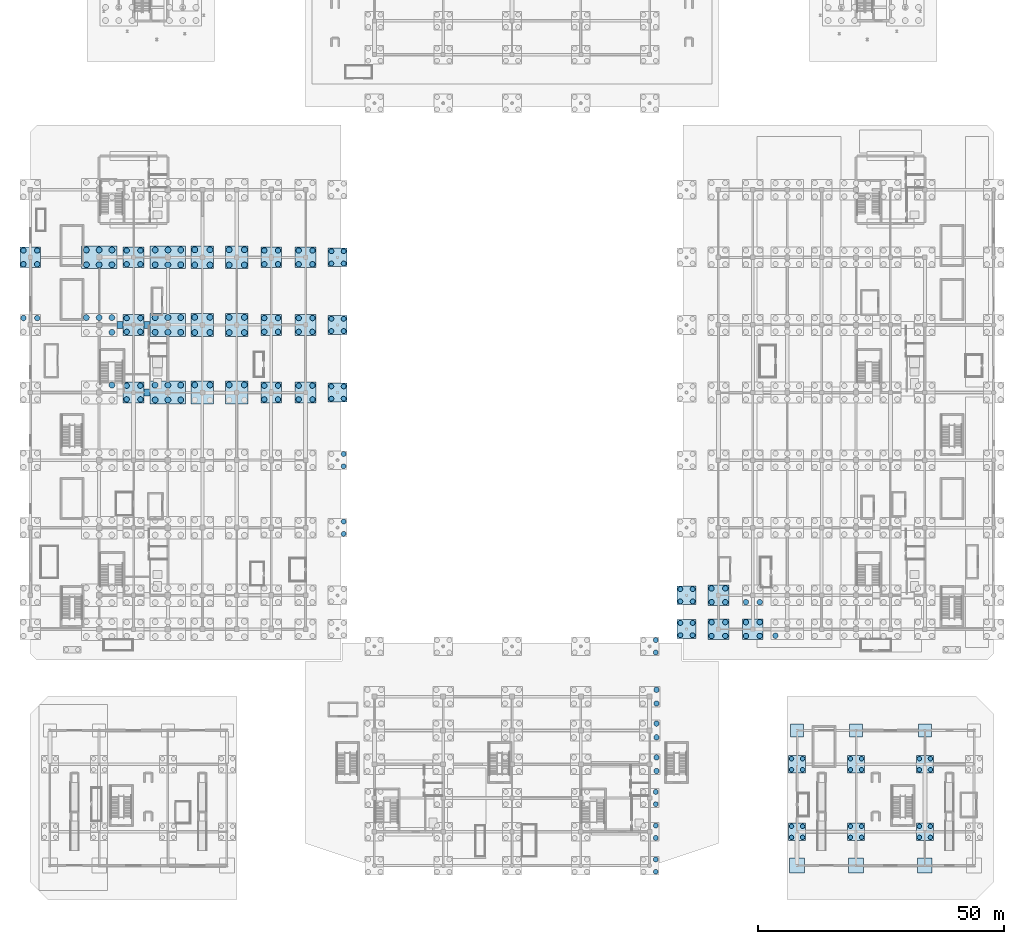
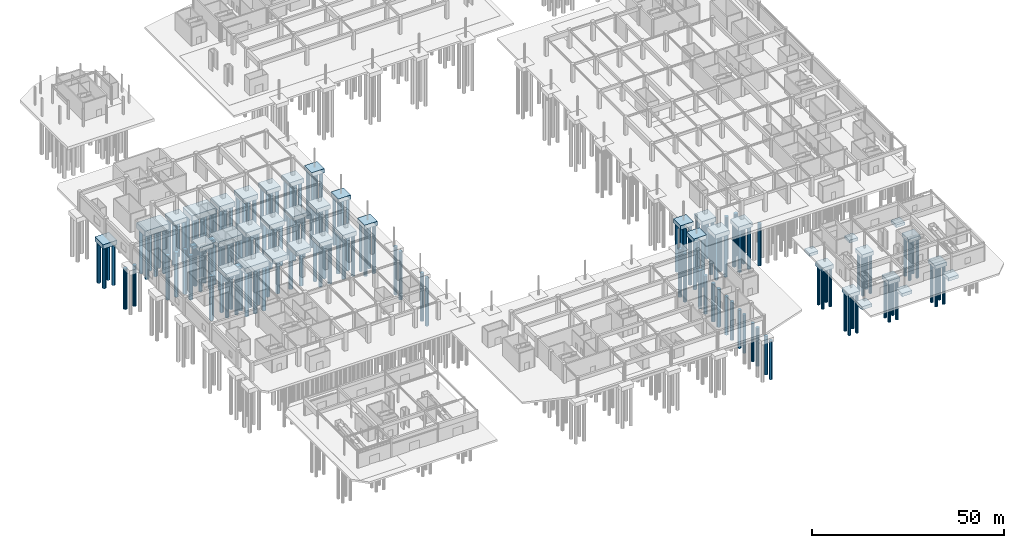
# One storey, part 3 of 62: 168 piles, 43 footings.
"""IFC4 building model written with IfcOpenShell, lengths in metres."""

from ifc_helpers import new_model, si_unit, direction, frame, origin, origin_2d, place, context, subcontext, project, spatial, rectangle, circle, extrude, material, material_profile, profile_set, type_object, element, save


model = new_model("IFC4")

# Units and contexts
model_context = context("Model", 3, precision=1e-05, world=origin(), true_north=direction((0.0, 1.0)))
body_context = subcontext(model_context, "Body", "Model", "MODEL_VIEW")
ifc_project = project(units=[si_unit("LENGTHUNIT", "METRE"), si_unit("AREAUNIT", "SQUARE_METRE"), si_unit("VOLUMEUNIT", "CUBIC_METRE"), si_unit("PLANEANGLEUNIT", "RADIAN"), si_unit("MASSUNIT", "GRAM", prefix="KILO")], contexts=[model_context])

# Site, building, storey
site_placement = place(None, origin())
site = spatial("IfcSite", under=ifc_project, at=site_placement, CompositionType="ELEMENT")
building_placement = place(site_placement, origin())
building = spatial("IfcBuilding", under=site, at=building_placement, Name="Linyun Crest Stadium", CompositionType="ELEMENT")
storey_placement = place(building_placement, frame((0.0, 0.0, -6.0)))
storey = spatial("IfcBuildingStorey", under=building, at=storey_placement, Name="B1", CompositionType="ELEMENT", Elevation=-6.0)

# Piles
ifc_material_1 = material(Name="Concrete C40", Category="concrete")
ifc_material_profile_1 = material_profile(ifc_material_1, circle(Radius=0.449951171875, at=origin_2d()), Name="BORED PILE 900")
ifc_profile_set_1 = profile_set([ifc_material_profile_1], Name="Concrete C40")
pile_type_1 = type_object("IfcPileType", Name="P01", PredefinedType="BORED", material=ifc_profile_set_1)
for number, where, z_axis, x_axis, name in (
    (1, (56.875, -88.375, -1.699951171875), (0.0, 0.0, -1.0), (1.0, 0.0, 0.0), "Bored pile P01 889"),
    (2, (56.875, -86.125, -1.699951171875), (0.0, 0.0, -1.0), (1.0, 0.0, 0.0), "Bored pile P01 890"),
    (3, (59.125, -88.375, -1.699951171875), (0.0, 0.0, -1.0), (1.0, 0.0, 0.0), "Bored pile P01 891"),
    (4, (59.125, -86.125, -1.699951171875), (0.0, 0.0, -1.0), (1.0, 0.0, 0.0), "Bored pile P01 892"),
    (5, (56.875, -74.625, -1.699951171875), (0.0, 0.0, -1.0), (1.0, 0.0, 0.0), "Bored pile P01 893"),
    (6, (56.875, -72.375, -1.699951171875), (0.0, 0.0, -1.0), (1.0, 0.0, 0.0), "Bored pile P01 894"),
    (7, (59.125, -74.625, -1.699951171875), (0.0, 0.0, -1.0), (1.0, 0.0, 0.0), "Bored pile P01 895"),
    (8, (59.125, -72.375, -1.699951171875), (0.0, 0.0, -1.0), (1.0, 0.0, 0.0), "Bored pile P01 896"),
    (9, (68.875, -88.375, -1.699951171875), (0.0, 0.0, -1.0), (1.0, 0.0, 0.0), "Bored pile P01 897"),
    (10, (68.875, -86.125, -1.699951171875), (0.0, 0.0, -1.0), (1.0, 0.0, 0.0), "Bored pile P01 898"),
    (11, (71.125, -88.375, -1.699951171875), (0.0, 0.0, -1.0), (1.0, 0.0, 0.0), "Bored pile P01 899"),
    (12, (71.125, -86.125, -1.699951171875), (0.0, 0.0, -1.0), (1.0, 0.0, 0.0), "Bored pile P01 900"),
    (13, (68.875, -74.625, -1.699951171875), (0.0, 0.0, -1.0), (1.0, 0.0, 0.0), "Bored pile P01 901"),
    (14, (68.875, -72.375, -1.699951171875), (0.0, 0.0, -1.0), (1.0, 0.0, 0.0), "Bored pile P01 902"),
    (15, (71.125, -74.625, -1.699951171875), (0.0, 0.0, -1.0), (1.0, 0.0, 0.0), "Bored pile P01 903"),
    (16, (71.125, -72.375, -1.699951171875), (0.0, 0.0, -1.0), (1.0, 0.0, 0.0), "Bored pile P01 904"),
    (17, (82.875, -88.375, -1.699951171875), (0.0, 0.0, -1.0), (1.0, 0.0, 0.0), "Bored pile P01 905"),
    (18, (82.875, -86.125, -1.699951171875), (0.0, 0.0, -1.0), (1.0, 0.0, 0.0), "Bored pile P01 906"),
    (19, (85.125, -88.375, -1.699951171875), (0.0, 0.0, -1.0), (1.0, 0.0, 0.0), "Bored pile P01 907"),
    (20, (85.125, -86.125, -1.699951171875), (0.0, 0.0, -1.0), (1.0, 0.0, 0.0), "Bored pile P01 908"),
    (21, (82.875, -74.625, -1.699951171875), (0.0, 0.0, -1.0), (1.0, 0.0, 0.0), "Bored pile P01 909"),
    (22, (82.875, -72.375, -1.699951171875), (0.0, 0.0, -1.0), (1.0, 0.0, 0.0), "Bored pile P01 910"),
    (23, (85.125, -74.625, -1.699951171875), (0.0, 0.0, -1.0), (1.0, 0.0, 0.0), "Bored pile P01 911"),
    (24, (85.125, -72.375, -1.699951171875), (0.0, 0.0, -1.0), (1.0, 0.0, 0.0), "Bored pile P01 912"),
):
    element("IfcPile", number, at=place(storey_placement, frame(where, z_axis=z_axis, x_axis=x_axis)), inside=storey, type_object=pile_type_1, Name=name, PredefinedType="BORED", context=body_context, shape_type="SweptSolid", body=[
        extrude(circle(Radius=0.449951171875, at=origin_2d()), origin(), (0.0, 0.0, 1.0), 12.300048828125),
    ])
ifc_material_2 = material(Name="Concrete C40", Category="concrete")
ifc_material_profile_2 = material_profile(ifc_material_2, circle(Radius=0.5, at=origin_2d()), Name="BORED PILE 1000")
ifc_profile_set_2 = profile_set([ifc_material_profile_2], Name="Concrete C40")
pile_type_2 = type_object("IfcPileType", Name="P02", PredefinedType="BORED", material=ifc_profile_set_2)
for number, where, z_axis, x_axis, name in (
    (25, (29.25, -95.375, -1.800048828125), (0.0, 0.0, -1.0), (1.0, 0.0, 0.0), "Bored pile P02 775"),
    (26, (29.25, -92.875, -1.800048828125), (0.0, 0.0, -1.0), (1.0, 0.0, 0.0), "Bored pile P02 776"),
    (27, (29.25, -88.5, -1.800048828125), (0.0, 0.0, -1.0), (1.0, 0.0, 0.0), "Bored pile P02 779"),
    (28, (29.25, -86.0, -1.800048828125), (0.0, 0.0, -1.0), (1.0, 0.0, 0.0), "Bored pile P02 780"),
    (29, (29.25, -81.625, -1.800048828125), (0.0, 0.0, -1.0), (1.0, 0.0, 0.0), "Bored pile P02 783"),
    (30, (29.25, -79.125, -1.800048828125), (0.0, 0.0, -1.0), (1.0, 0.0, 0.0), "Bored pile P02 784"),
):
    element("IfcPile", number, at=place(storey_placement, frame(where, z_axis=z_axis, x_axis=x_axis)), inside=storey, type_object=pile_type_2, Name=name, PredefinedType="BORED", context=body_context, shape_type="SweptSolid", body=[
        extrude(circle(Radius=0.5, at=origin_2d()), origin(), (0.0, 0.0, 1.0), 12.199951171875),
    ])
for number, where, z_axis, x_axis, name in (
    (31, (-34.25, -26.625, -1.199951171875), (0.0, 0.0, -1.0), (1.0, 0.0, 0.0), "Bored pile P02 arch 6.3"),
    (32, (-34.25, -24.125, -1.199951171875), (0.0, 0.0, -1.0), (1.0, 0.0, 0.0), "Bored pile P02 arch 6.4"),
    (33, (-34.25, -12.875, -1.199951171875), (0.0, 0.0, -1.0), (1.0, 0.0, 0.0), "Bored pile P02 arch 8.3"),
    (34, (-34.25, -10.375, -1.199951171875), (0.0, 0.0, -1.0), (1.0, 0.0, 0.0), "Bored pile P02 arch 8.4"),
    (35, (-36.75, 0.875, -1.199951171875), (0.0, 0.0, -1.0), (1.0, 0.0, 0.0), "Bored pile P02 arch 10.1"),
    (36, (-36.75, 3.375, -1.199951171875), (0.0, 0.0, -1.0), (1.0, 0.0, 0.0), "Bored pile P02 arch 10.2"),
    (37, (-34.25, 0.875, -1.199951171875), (0.0, 0.0, -1.0), (1.0, 0.0, 0.0), "Bored pile P02 arch 10.3"),
    (38, (-34.25, 3.375, -1.199951171875), (0.0, 0.0, -1.0), (1.0, 0.0, 0.0), "Bored pile P02 arch 10.4"),
    (39, (-36.75, 14.625, -1.199951171875), (0.0, 0.0, -1.0), (1.0, 0.0, 0.0), "Bored pile P02 arch 12.1"),
    (40, (-36.75, 17.125, -1.199951171875), (0.0, 0.0, -1.0), (1.0, 0.0, 0.0), "Bored pile P02 arch 12.2"),
    (41, (-34.25, 14.625, -1.199951171875), (0.0, 0.0, -1.0), (1.0, 0.0, 0.0), "Bored pile P02 arch 12.3"),
    (42, (-34.25, 17.125, -1.199951171875), (0.0, 0.0, -1.0), (1.0, 0.0, 0.0), "Bored pile P02 arch 12.4"),
    (43, (-36.75, 28.375, -1.199951171875), (0.0, 0.0, -1.0), (1.0, 0.0, 0.0), "Bored pile P02 arch 14.1"),
    (44, (-36.75, 30.875, -1.199951171875), (0.0, 0.0, -1.0), (1.0, 0.0, 0.0), "Bored pile P02 arch 14.2"),
    (45, (-34.25, 28.375, -1.199951171875), (0.0, 0.0, -1.0), (1.0, 0.0, 0.0), "Bored pile P02 arch 14.3"),
    (46, (-34.25, 30.875, -1.199951171875), (0.0, 0.0, -1.0), (1.0, 0.0, 0.0), "Bored pile P02 arch 14.4"),
    (47, (34.25, -47.25, -1.199951171875), (0.0, 0.0, -1.0), (1.0, 0.0, 0.0), "Bored pile P02 arch 18.1"),
    (48, (34.25, -44.75, -1.199951171875), (0.0, 0.0, -1.0), (1.0, 0.0, 0.0), "Bored pile P02 arch 18.2"),
    (49, (36.75, -47.25, -1.199951171875), (0.0, 0.0, -1.0), (1.0, 0.0, 0.0), "Bored pile P02 arch 18.3"),
    (50, (36.75, -44.75, -1.199951171875), (0.0, 0.0, -1.0), (1.0, 0.0, 0.0), "Bored pile P02 arch 18.4"),
    (51, (34.25, -40.375, -1.199951171875), (0.0, 0.0, -1.0), (1.0, 0.0, 0.0), "Bored pile P02 arch 20.1"),
    (52, (34.25, -37.875, -1.199951171875), (0.0, 0.0, -1.0), (1.0, 0.0, 0.0), "Bored pile P02 arch 20.2"),
    (53, (36.75, -40.375, -1.199951171875), (0.0, 0.0, -1.0), (1.0, 0.0, 0.0), "Bored pile P02 arch 20.3"),
    (54, (36.75, -37.875, -1.199951171875), (0.0, 0.0, -1.0), (1.0, 0.0, 0.0), "Bored pile P02 arch 20.4"),
    (55, (29.25, -50.75, -1.199951171875), (0.0, 0.0, -1.0), (1.0, 0.0, 0.0), "Bored pile P02 arch 52.3"),
    (56, (29.25, -48.25, -1.199951171875), (0.0, 0.0, -1.0), (1.0, 0.0, 0.0), "Bored pile P02 arch 52.4"),
):
    element("IfcPile", number, at=place(storey_placement, frame(where, z_axis=z_axis, x_axis=x_axis)), inside=storey, type_object=pile_type_2, Name=name, PredefinedType="BORED", context=body_context, shape_type="SweptSolid", body=[
        extrude(circle(Radius=0.5, at=origin_2d()), origin(), (0.0, 0.0, 1.0), 15.300048828125),
    ])
ifc_material_3 = material(Name="Concrete C40", Category="concrete")
ifc_material_profile_3 = material_profile(ifc_material_3, circle(Radius=0.550048828125, at=origin_2d()), Name="BORED PILE 1100")
ifc_profile_set_3 = profile_set([ifc_material_profile_3], Name="Concrete C40")
pile_type_3 = type_object("IfcPileType", Name="P03", PredefinedType="BORED", material=ifc_profile_set_3)
for number, where, z_axis, x_axis, name in (
    (57, (-99.39990234375, 17.27490234375, -2.050048828125), (0.0, 0.0, -1.0), (1.0, 0.0, 0.0), "Bored pile P03 22"),
    (58, (-96.60009765625, 17.27490234375, -2.050048828125), (0.0, 0.0, -1.0), (1.0, 0.0, 0.0), "Bored pile P03 24"),
    (59, (-99.39990234375, 28.22509765625, -2.050048828125), (0.0, 0.0, -1.0), (1.0, 0.0, 0.0), "Bored pile P03 25"),
    (60, (-99.39990234375, 31.02490234375, -2.050048828125), (0.0, 0.0, -1.0), (1.0, 0.0, 0.0), "Bored pile P03 26"),
    (61, (-96.60009765625, 28.22509765625, -2.050048828125), (0.0, 0.0, -1.0), (1.0, 0.0, 0.0), "Bored pile P03 27"),
    (62, (-96.60009765625, 31.02490234375, -2.050048828125), (0.0, 0.0, -1.0), (1.0, 0.0, 0.0), "Bored pile P03 28"),
    (63, (-78.39990234375, 0.72509765625, -2.050048828125), (0.0, 0.0, -1.0), (1.0, 0.0, 0.0), "Bored pile P03 97"),
    (64, (-78.39990234375, 3.52490234375, -2.050048828125), (0.0, 0.0, -1.0), (1.0, 0.0, 0.0), "Bored pile P03 98"),
    (65, (-75.60009765625, 0.72509765625, -2.050048828125), (0.0, 0.0, -1.0), (1.0, 0.0, 0.0), "Bored pile P03 99"),
    (66, (-75.60009765625, 3.52490234375, -2.050048828125), (0.0, 0.0, -1.0), (1.0, 0.0, 0.0), "Bored pile P03 100"),
    (67, (-78.39990234375, 14.47509765625, -2.050048828125), (0.0, 0.0, -1.0), (1.0, 0.0, 0.0), "Bored pile P03 101"),
    (68, (-78.39990234375, 17.27490234375, -2.050048828125), (0.0, 0.0, -1.0), (1.0, 0.0, 0.0), "Bored pile P03 102"),
    (69, (-75.60009765625, 14.47509765625, -2.050048828125), (0.0, 0.0, -1.0), (1.0, 0.0, 0.0), "Bored pile P03 103"),
    (70, (-75.60009765625, 17.27490234375, -2.050048828125), (0.0, 0.0, -1.0), (1.0, 0.0, 0.0), "Bored pile P03 104"),
    (71, (-78.39990234375, 28.22509765625, -2.050048828125), (0.0, 0.0, -1.0), (1.0, 0.0, 0.0), "Bored pile P03 105"),
    (72, (-78.39990234375, 31.02490234375, -2.050048828125), (0.0, 0.0, -1.0), (1.0, 0.0, 0.0), "Bored pile P03 106"),
    (73, (-75.60009765625, 28.22509765625, -2.050048828125), (0.0, 0.0, -1.0), (1.0, 0.0, 0.0), "Bored pile P03 107"),
    (74, (-75.60009765625, 31.02490234375, -2.050048828125), (0.0, 0.0, -1.0), (1.0, 0.0, 0.0), "Bored pile P03 108"),
    (75, (-50.39990234375, 0.72509765625, -2.050048828125), (0.0, 0.0, -1.0), (1.0, 0.0, 0.0), "Bored pile P03 241"),
    (76, (-50.39990234375, 3.52490234375, -2.050048828125), (0.0, 0.0, -1.0), (1.0, 0.0, 0.0), "Bored pile P03 242"),
    (77, (-47.60009765625, 0.72509765625, -2.050048828125), (0.0, 0.0, -1.0), (1.0, 0.0, 0.0), "Bored pile P03 243"),
    (78, (-47.60009765625, 3.52490234375, -2.050048828125), (0.0, 0.0, -1.0), (1.0, 0.0, 0.0), "Bored pile P03 244"),
    (79, (-50.39990234375, 14.47509765625, -2.050048828125), (0.0, 0.0, -1.0), (1.0, 0.0, 0.0), "Bored pile P03 245"),
    (80, (-50.39990234375, 17.27490234375, -2.050048828125), (0.0, 0.0, -1.0), (1.0, 0.0, 0.0), "Bored pile P03 246"),
    (81, (-47.60009765625, 14.47509765625, -2.050048828125), (0.0, 0.0, -1.0), (1.0, 0.0, 0.0), "Bored pile P03 247"),
    (82, (-47.60009765625, 17.27490234375, -2.050048828125), (0.0, 0.0, -1.0), (1.0, 0.0, 0.0), "Bored pile P03 248"),
    (83, (-50.39990234375, 28.22509765625, -2.050048828125), (0.0, 0.0, -1.0), (1.0, 0.0, 0.0), "Bored pile P03 249"),
    (84, (-50.39990234375, 31.02490234375, -2.050048828125), (0.0, 0.0, -1.0), (1.0, 0.0, 0.0), "Bored pile P03 250"),
    (85, (-47.60009765625, 28.22509765625, -2.050048828125), (0.0, 0.0, -1.0), (1.0, 0.0, 0.0), "Bored pile P03 251"),
    (86, (-47.60009765625, 31.02490234375, -2.050048828125), (0.0, 0.0, -1.0), (1.0, 0.0, 0.0), "Bored pile P03 252"),
    (87, (-43.39990234375, 0.72509765625, -2.050048828125), (0.0, 0.0, -1.0), (1.0, 0.0, 0.0), "Bored pile P03 273"),
    (88, (-43.39990234375, 3.52490234375, -2.050048828125), (0.0, 0.0, -1.0), (1.0, 0.0, 0.0), "Bored pile P03 274"),
    (89, (-40.60009765625, 0.72509765625, -2.050048828125), (0.0, 0.0, -1.0), (1.0, 0.0, 0.0), "Bored pile P03 275"),
    (90, (-40.60009765625, 3.52490234375, -2.050048828125), (0.0, 0.0, -1.0), (1.0, 0.0, 0.0), "Bored pile P03 276"),
    (91, (-43.39990234375, 14.47509765625, -2.050048828125), (0.0, 0.0, -1.0), (1.0, 0.0, 0.0), "Bored pile P03 277"),
    (92, (-43.39990234375, 17.27490234375, -2.050048828125), (0.0, 0.0, -1.0), (1.0, 0.0, 0.0), "Bored pile P03 278"),
    (93, (-40.60009765625, 14.47509765625, -2.050048828125), (0.0, 0.0, -1.0), (1.0, 0.0, 0.0), "Bored pile P03 279"),
    (94, (-40.60009765625, 17.27490234375, -2.050048828125), (0.0, 0.0, -1.0), (1.0, 0.0, 0.0), "Bored pile P03 280"),
    (95, (-43.39990234375, 28.22509765625, -2.050048828125), (0.0, 0.0, -1.0), (1.0, 0.0, 0.0), "Bored pile P03 281"),
    (96, (-43.39990234375, 31.02490234375, -2.050048828125), (0.0, 0.0, -1.0), (1.0, 0.0, 0.0), "Bored pile P03 282"),
    (97, (-40.60009765625, 28.22509765625, -2.050048828125), (0.0, 0.0, -1.0), (1.0, 0.0, 0.0), "Bored pile P03 283"),
    (98, (-40.60009765625, 31.02490234375, -2.050048828125), (0.0, 0.0, -1.0), (1.0, 0.0, 0.0), "Bored pile P03 284"),
):
    element("IfcPile", number, at=place(storey_placement, frame(where, z_axis=z_axis, x_axis=x_axis)), inside=storey, type_object=pile_type_3, Name=name, PredefinedType="BORED", context=body_context, shape_type="SweptSolid", body=[
        extrude(circle(Radius=0.550048828125, at=origin_2d()), origin(), (0.0, 0.0, 1.0), 12.949951171875),
    ])
for number, where, z_axis, x_axis, name in (
    (99, (40.60009765625, -47.39990234375, -2.050048828125), (0.0, 0.0, -1.0), (1.0, 0.0, 0.0), "Bored pile P03 289"),
    (100, (40.60009765625, -44.60009765625, -2.050048828125), (0.0, 0.0, -1.0), (1.0, 0.0, 0.0), "Bored pile P03 290"),
    (101, (43.39990234375, -47.39990234375, -2.050048828125), (0.0, 0.0, -1.0), (1.0, 0.0, 0.0), "Bored pile P03 291"),
    (102, (43.39990234375, -44.60009765625, -2.050048828125), (0.0, 0.0, -1.0), (1.0, 0.0, 0.0), "Bored pile P03 292"),
    (103, (40.60009765625, -40.52490234375, -2.050048828125), (0.0, 0.0, -1.0), (1.0, 0.0, 0.0), "Bored pile P03 293"),
    (104, (40.60009765625, -37.72509765625, -2.050048828125), (0.0, 0.0, -1.0), (1.0, 0.0, 0.0), "Bored pile P03 294"),
    (105, (43.39990234375, -40.52490234375, -2.050048828125), (0.0, 0.0, -1.0), (1.0, 0.0, 0.0), "Bored pile P03 295"),
    (106, (43.39990234375, -37.72509765625, -2.050048828125), (0.0, 0.0, -1.0), (1.0, 0.0, 0.0), "Bored pile P03 296"),
    (107, (47.60009765625, -47.39990234375, -2.050048828125), (0.0, 0.0, -1.0), (1.0, 0.0, 0.0), "Bored pile P03 321"),
    (108, (47.60009765625, -44.60009765625, -2.050048828125), (0.0, 0.0, -1.0), (1.0, 0.0, 0.0), "Bored pile P03 322"),
    (109, (50.39990234375, -47.39990234375, -2.050048828125), (0.0, 0.0, -1.0), (1.0, 0.0, 0.0), "Bored pile P03 323"),
    (110, (50.39990234375, -44.60009765625, -2.050048828125), (0.0, 0.0, -1.0), (1.0, 0.0, 0.0), "Bored pile P03 324"),
    (111, (47.60009765625, -40.52490234375, -2.050048828125), (0.0, 0.0, -1.0), (1.0, 0.0, 0.0), "Bored pile P03 325"),
    (112, (50.39990234375, -40.52490234375, -2.050048828125), (0.0, 0.0, -1.0), (1.0, 0.0, 0.0), "Bored pile P03 327"),
):
    element("IfcPile", number, at=place(storey_placement, frame(where, z_axis=z_axis, x_axis=x_axis)), inside=storey, type_object=pile_type_3, Name=name, PredefinedType="BORED", context=body_context, shape_type="SweptSolid", body=[
        extrude(circle(Radius=0.550048828125, at=origin_2d()), origin(), (0.0, 0.0, 1.0), 13.449951171875),
    ])
pile_placement = place(storey_placement, frame((53.60009765625, -47.35009765625, -2.25), z_axis=(0.0, 0.0, -1.0), x_axis=(1.0, 0.0, 0.0)))
element("IfcPile", 113, at=pile_placement, inside=storey, type_object=pile_type_3, Name="Bored pile P03 353", PredefinedType="BORED", context=body_context, shape_type="SweptSolid", body=[
    extrude(circle(Radius=0.550048828125, at=origin_2d()), origin(), (0.0, 0.0, 1.0), 13.25),
])
for number, where, z_axis, x_axis, name in (
    (114, (29.39990234375, -74.89990234375, -1.89990234375), (0.0, 0.0, -1.0), (1.0, 0.0, 0.0), "Bored pile P03 787"),
    (115, (29.39990234375, -72.10009765625, -1.89990234375), (0.0, 0.0, -1.0), (1.0, 0.0, 0.0), "Bored pile P03 788"),
    (116, (29.39990234375, -68.02490234375, -1.89990234375), (0.0, 0.0, -1.0), (1.0, 0.0, 0.0), "Bored pile P03 791"),
    (117, (29.39990234375, -65.22509765625, -1.89990234375), (0.0, 0.0, -1.0), (1.0, 0.0, 0.0), "Bored pile P03 792"),
    (118, (29.39990234375, -61.14990234375, -1.89990234375), (0.0, 0.0, -1.0), (1.0, 0.0, 0.0), "Bored pile P03 795"),
    (119, (29.39990234375, -58.35009765625, -1.89990234375), (0.0, 0.0, -1.0), (1.0, 0.0, 0.0), "Bored pile P03 796"),
):
    element("IfcPile", number, at=place(storey_placement, frame(where, z_axis=z_axis, x_axis=x_axis)), inside=storey, type_object=pile_type_3, Name=name, PredefinedType="BORED", context=body_context, shape_type="SweptSolid", body=[
        extrude(circle(Radius=0.550048828125, at=origin_2d()), origin(), (0.0, 0.0, 1.0), 12.10009765625),
    ])
ifc_material_4 = material(Name="Concrete C40", Category="concrete")
ifc_material_profile_4 = material_profile(ifc_material_4, circle(Radius=0.60009765625, at=origin_2d()), Name="BORED PILE 1200")
ifc_profile_set_4 = profile_set([ifc_material_profile_4], Name="Concrete C40")
pile_type_4 = type_object("IfcPileType", Name="P04", PredefinedType="BORED", material=ifc_profile_set_4)
for number, where, z_axis, x_axis, name in (
    (120, (-81.39990234375, 3.625, -2.449951171875), (0.0, 0.0, -1.0), (1.0, 0.0, 0.0), "Bored pile P04 62"),
    (121, (-86.60009765625, 17.375, -2.449951171875), (0.0, 0.0, -1.0), (1.0, 0.0, 0.0), "Bored pile P04 64"),
    (122, (-84.0, 17.375, -2.449951171875), (0.0, 0.0, -1.0), (1.0, 0.0, 0.0), "Bored pile P04 66"),
    (123, (-81.39990234375, 14.375, -2.449951171875), (0.0, 0.0, -1.0), (1.0, 0.0, 0.0), "Bored pile P04 67"),
    (124, (-81.39990234375, 17.375, -2.449951171875), (0.0, 0.0, -1.0), (1.0, 0.0, 0.0), "Bored pile P04 68"),
    (125, (-86.60009765625, 28.125, -2.449951171875), (0.0, 0.0, -1.0), (1.0, 0.0, 0.0), "Bored pile P04 69"),
    (126, (-86.60009765625, 31.125, -2.449951171875), (0.0, 0.0, -1.0), (1.0, 0.0, 0.0), "Bored pile P04 70"),
    (127, (-84.0, 28.125, -2.449951171875), (0.0, 0.0, -1.0), (1.0, 0.0, 0.0), "Bored pile P04 71"),
    (128, (-84.0, 31.125, -2.449951171875), (0.0, 0.0, -1.0), (1.0, 0.0, 0.0), "Bored pile P04 72"),
    (129, (-81.39990234375, 28.125, -2.449951171875), (0.0, 0.0, -1.0), (1.0, 0.0, 0.0), "Bored pile P04 73"),
    (130, (-81.39990234375, 31.125, -2.449951171875), (0.0, 0.0, -1.0), (1.0, 0.0, 0.0), "Bored pile P04 74"),
    (131, (-72.60009765625, 0.625, -2.449951171875), (0.0, 0.0, -1.0), (1.0, 0.0, 0.0), "Bored pile P04 137"),
    (132, (-72.60009765625, 3.625, -2.449951171875), (0.0, 0.0, -1.0), (1.0, 0.0, 0.0), "Bored pile P04 138"),
    (133, (-70.0, 0.625, -2.449951171875), (0.0, 0.0, -1.0), (1.0, 0.0, 0.0), "Bored pile P04 139"),
    (134, (-70.0, 3.625, -2.449951171875), (0.0, 0.0, -1.0), (1.0, 0.0, 0.0), "Bored pile P04 140"),
    (135, (-67.39990234375, 0.625, -2.449951171875), (0.0, 0.0, -1.0), (1.0, 0.0, 0.0), "Bored pile P04 141"),
    (136, (-67.39990234375, 3.625, -2.449951171875), (0.0, 0.0, -1.0), (1.0, 0.0, 0.0), "Bored pile P04 142"),
    (137, (-72.60009765625, 14.375, -2.449951171875), (0.0, 0.0, -1.0), (1.0, 0.0, 0.0), "Bored pile P04 143"),
    (138, (-72.60009765625, 17.375, -2.449951171875), (0.0, 0.0, -1.0), (1.0, 0.0, 0.0), "Bored pile P04 144"),
    (139, (-70.0, 14.375, -2.449951171875), (0.0, 0.0, -1.0), (1.0, 0.0, 0.0), "Bored pile P04 145"),
    (140, (-70.0, 17.375, -2.449951171875), (0.0, 0.0, -1.0), (1.0, 0.0, 0.0), "Bored pile P04 146"),
    (141, (-67.39990234375, 14.375, -2.449951171875), (0.0, 0.0, -1.0), (1.0, 0.0, 0.0), "Bored pile P04 147"),
    (142, (-67.39990234375, 17.375, -2.449951171875), (0.0, 0.0, -1.0), (1.0, 0.0, 0.0), "Bored pile P04 148"),
    (143, (-72.60009765625, 28.125, -2.449951171875), (0.0, 0.0, -1.0), (1.0, 0.0, 0.0), "Bored pile P04 149"),
    (144, (-72.60009765625, 31.125, -2.449951171875), (0.0, 0.0, -1.0), (1.0, 0.0, 0.0), "Bored pile P04 150"),
    (145, (-70.0, 28.125, -2.449951171875), (0.0, 0.0, -1.0), (1.0, 0.0, 0.0), "Bored pile P04 151"),
    (146, (-70.0, 31.125, -2.449951171875), (0.0, 0.0, -1.0), (1.0, 0.0, 0.0), "Bored pile P04 152"),
    (147, (-67.39990234375, 28.125, -2.449951171875), (0.0, 0.0, -1.0), (1.0, 0.0, 0.0), "Bored pile P04 153"),
    (148, (-67.39990234375, 31.125, -2.449951171875), (0.0, 0.0, -1.0), (1.0, 0.0, 0.0), "Bored pile P04 154"),
):
    element("IfcPile", number, at=place(storey_placement, frame(where, z_axis=z_axis, x_axis=x_axis)), inside=storey, type_object=pile_type_4, Name=name, PredefinedType="BORED", context=body_context, shape_type="SweptSolid", body=[
        extrude(circle(Radius=0.60009765625, at=origin_2d()), origin(), (0.0, 0.0, 1.0), 14.050048828125),
    ])
for number, where, z_axis, x_axis, name in (
    (149, (-64.550048828125, 3.675048828125, -2.25), (0.0, 0.0, -1.0), (1.0, 0.0, 0.0), "Bored pile P04 178"),
    (150, (-61.449951171875, 3.675048828125, -2.25), (0.0, 0.0, -1.0), (1.0, 0.0, 0.0), "Bored pile P04 180"),
    (151, (-64.550048828125, 14.324951171875, -2.25), (0.0, 0.0, -1.0), (1.0, 0.0, 0.0), "Bored pile P04 181"),
    (152, (-64.550048828125, 17.425048828125, -2.25), (0.0, 0.0, -1.0), (1.0, 0.0, 0.0), "Bored pile P04 182"),
    (153, (-61.449951171875, 14.324951171875, -2.25), (0.0, 0.0, -1.0), (1.0, 0.0, 0.0), "Bored pile P04 183"),
    (154, (-61.449951171875, 17.425048828125, -2.25), (0.0, 0.0, -1.0), (1.0, 0.0, 0.0), "Bored pile P04 184"),
    (155, (-64.550048828125, 28.074951171875, -2.25), (0.0, 0.0, -1.0), (1.0, 0.0, 0.0), "Bored pile P04 185"),
    (156, (-64.550048828125, 31.175048828125, -2.25), (0.0, 0.0, -1.0), (1.0, 0.0, 0.0), "Bored pile P04 186"),
    (157, (-61.449951171875, 28.074951171875, -2.25), (0.0, 0.0, -1.0), (1.0, 0.0, 0.0), "Bored pile P04 187"),
    (158, (-61.449951171875, 31.175048828125, -2.25), (0.0, 0.0, -1.0), (1.0, 0.0, 0.0), "Bored pile P04 188"),
    (159, (-57.550048828125, 3.675048828125, -2.25), (0.0, 0.0, -1.0), (1.0, 0.0, 0.0), "Bored pile P04 210"),
    (160, (-54.449951171875, 3.675048828125, -2.25), (0.0, 0.0, -1.0), (1.0, 0.0, 0.0), "Bored pile P04 212"),
    (161, (-57.550048828125, 14.324951171875, -2.25), (0.0, 0.0, -1.0), (1.0, 0.0, 0.0), "Bored pile P04 213"),
    (162, (-57.550048828125, 17.425048828125, -2.25), (0.0, 0.0, -1.0), (1.0, 0.0, 0.0), "Bored pile P04 214"),
    (163, (-54.449951171875, 14.324951171875, -2.25), (0.0, 0.0, -1.0), (1.0, 0.0, 0.0), "Bored pile P04 215"),
    (164, (-54.449951171875, 17.425048828125, -2.25), (0.0, 0.0, -1.0), (1.0, 0.0, 0.0), "Bored pile P04 216"),
    (165, (-57.550048828125, 28.074951171875, -2.25), (0.0, 0.0, -1.0), (1.0, 0.0, 0.0), "Bored pile P04 217"),
    (166, (-57.550048828125, 31.175048828125, -2.25), (0.0, 0.0, -1.0), (1.0, 0.0, 0.0), "Bored pile P04 218"),
    (167, (-54.449951171875, 28.074951171875, -2.25), (0.0, 0.0, -1.0), (1.0, 0.0, 0.0), "Bored pile P04 219"),
    (168, (-54.449951171875, 31.175048828125, -2.25), (0.0, 0.0, -1.0), (1.0, 0.0, 0.0), "Bored pile P04 220"),
):
    element("IfcPile", number, at=place(storey_placement, frame(where, z_axis=z_axis, x_axis=x_axis)), inside=storey, type_object=pile_type_4, Name=name, PredefinedType="BORED", context=body_context, shape_type="SweptSolid", body=[
        extrude(circle(Radius=0.60009765625, at=origin_2d()), origin(), (0.0, 0.0, 1.0), 12.75),
    ])

# Footings
ifc_material_5 = material(Name="Concrete C40", Category="concrete")
footing_type_1 = type_object("IfcFootingType", Name="PC02", PredefinedType="PILE_CAP", material=ifc_material_5)
for number, where, z_axis, x_axis, name in (
    (169, (-35.5, 2.125, -1.2998046875), (0.0, 0.0, 1.0), (1.0, 0.0, 0.0), "Foundation PC02 arch 10"),
    (170, (-35.5, 15.875, -1.2998046875), (0.0, 0.0, 1.0), (1.0, 0.0, 0.0), "Foundation PC02 arch 12"),
    (171, (-35.5, 29.625, -1.2998046875), (0.0, 0.0, 1.0), (1.0, 0.0, 0.0), "Foundation PC02 arch 14"),
    (172, (35.5, -46.0, -1.2998046875), (0.0, 0.0, 1.0), (1.0, 0.0, 0.0), "Foundation PC02 arch 18"),
    (173, (35.5, -39.125, -1.2998046875), (0.0, 0.0, 1.0), (1.0, 0.0, 0.0), "Foundation PC02 arch 20"),
):
    element("IfcFooting", number, at=place(storey_placement, frame(where, z_axis=z_axis, x_axis=x_axis)), inside=storey, type_object=footing_type_1, Name=name, PredefinedType="PILE_CAP", context=body_context, shape_type="SweptSolid", body=[
        extrude(rectangle(XDim=3.800048828125, YDim=3.800048828125, at=origin_2d()), origin(), (0.0, 0.0, 1.0), 1.300048828125),
    ])
ifc_material_6 = material(Name="Concrete C40", Category="concrete")
footing_type_2 = type_object("IfcFootingType", Name="PC03", PredefinedType="PILE_CAP", material=ifc_material_6)
for number, where, z_axis, x_axis, name in (
    (174, (-98.0, 29.625, -2.14990234375), (0.0, 0.0, 1.0), (1.0, 0.0, 0.0), "Foundation PC03 7"),
    (175, (-77.0, 2.125, -2.14990234375), (0.0, 0.0, 1.0), (1.0, 0.0, 0.0), "Foundation PC03 21"),
    (176, (-77.0, 15.875, -2.14990234375), (0.0, 0.0, 1.0), (1.0, 0.0, 0.0), "Foundation PC03 22"),
    (177, (-77.0, 29.625, -2.14990234375), (0.0, 0.0, 1.0), (1.0, 0.0, 0.0), "Foundation PC03 23"),
    (178, (-49.0, 2.125, -2.14990234375), (0.0, 0.0, 1.0), (1.0, 0.0, 0.0), "Foundation PC03 53"),
    (179, (-49.0, 15.875, -2.14990234375), (0.0, 0.0, 1.0), (1.0, 0.0, 0.0), "Foundation PC03 54"),
    (180, (-49.0, 29.625, -2.14990234375), (0.0, 0.0, 1.0), (1.0, 0.0, 0.0), "Foundation PC03 55"),
    (181, (-42.0, 2.125, -2.14990234375), (0.0, 0.0, 1.0), (1.0, 0.0, 0.0), "Foundation PC03 61"),
    (182, (-42.0, 15.875, -2.14990234375), (0.0, 0.0, 1.0), (1.0, 0.0, 0.0), "Foundation PC03 62"),
    (183, (-42.0, 29.625, -2.14990234375), (0.0, 0.0, 1.0), (1.0, 0.0, 0.0), "Foundation PC03 63"),
    (184, (42.0, -46.0, -2.14990234375), (0.0, 0.0, 1.0), (1.0, 0.0, 0.0), "Foundation PC03 65"),
    (185, (42.0, -39.125, -2.14990234375), (0.0, 0.0, 1.0), (1.0, 0.0, 0.0), "Foundation PC03 66"),
    (186, (49.0, -46.0, -2.14990234375), (0.0, 0.0, 1.0), (1.0, 0.0, 0.0), "Foundation PC03 73"),
):
    element("IfcFooting", number, at=place(storey_placement, frame(where, z_axis=z_axis, x_axis=x_axis)), inside=storey, type_object=footing_type_2, Name=name, PredefinedType="PILE_CAP", context=body_context, shape_type="SweptSolid", body=[
        extrude(rectangle(XDim=4.199951171875, YDim=4.199951171875, at=origin_2d()), origin(), (0.0, 0.0, 1.0), 1.39990234375),
    ])
ifc_material_7 = material(Name="Concrete C40", Category="concrete")
footing_type_3 = type_object("IfcFootingType", Name="PC04", PredefinedType="PILE_CAP", material=ifc_material_7)
for number, where, z_axis, x_axis, name in (
    (187, (-63.0, 2.125, -2.35009765625), (0.0, 0.0, 1.0), (1.0, 0.0, 0.0), "Foundation PC04 37"),
    (188, (-63.0, 15.875, -2.35009765625), (0.0, 0.0, 1.0), (1.0, 0.0, 0.0), "Foundation PC04 38"),
    (189, (-63.0, 29.625, -2.35009765625), (0.0, 0.0, 1.0), (1.0, 0.0, 0.0), "Foundation PC04 39"),
    (190, (-56.0, 2.125, -2.35009765625), (0.0, 0.0, 1.0), (1.0, 0.0, 0.0), "Foundation PC04 45"),
    (191, (-56.0, 15.875, -2.35009765625), (0.0, 0.0, 1.0), (1.0, 0.0, 0.0), "Foundation PC04 46"),
    (192, (-56.0, 29.625, -2.35009765625), (0.0, 0.0, 1.0), (1.0, 0.0, 0.0), "Foundation PC04 47"),
):
    element("IfcFooting", number, at=place(storey_placement, frame(where, z_axis=z_axis, x_axis=x_axis)), inside=storey, type_object=footing_type_3, Name=name, PredefinedType="PILE_CAP", context=body_context, shape_type="SweptSolid", body=[
        extrude(rectangle(XDim=4.60009765625, YDim=4.60009765625, at=origin_2d()), origin(), (0.0, 0.0, 1.0), 1.60009765625),
    ])
ifc_material_8 = material(Name="Concrete C40", Category="concrete")
footing_type_4 = type_object("IfcFootingType", Name="PC06", PredefinedType="PILE_CAP", material=ifc_material_8)
for number, where, z_axis, x_axis, name in (
    (193, (-84.0, 29.625, -2.5498046875), (0.0, 0.0, 1.0), (1.0, 0.0, 0.0), "Foundation PC06 15"),
    (194, (-70.0, 2.125, -2.5498046875), (0.0, 0.0, 1.0), (1.0, 0.0, 0.0), "Foundation PC06 29"),
    (195, (-70.0, 15.875, -2.5498046875), (0.0, 0.0, 1.0), (1.0, 0.0, 0.0), "Foundation PC06 30"),
    (196, (-70.0, 29.625, -2.5498046875), (0.0, 0.0, 1.0), (1.0, 0.0, 0.0), "Foundation PC06 31"),
):
    element("IfcFooting", number, at=place(storey_placement, frame(where, z_axis=z_axis, x_axis=x_axis)), inside=storey, type_object=footing_type_4, Name=name, PredefinedType="PILE_CAP", context=body_context, shape_type="SweptSolid", body=[
        extrude(rectangle(XDim=7.199951171875, YDim=4.60009765625, at=origin_2d()), origin(), (0.0, 0.0, 1.0), 1.800048828125),
    ])
ifc_material_9 = material(Name="Concrete C40", Category="concrete")
footing_type_5 = type_object("IfcFootingType", Name="PC08", PredefinedType="PILE_CAP", material=ifc_material_9)
for number, where, z_axis, x_axis, name in (
    (197, (58.0, -87.25, -1.7998046875), (0.0, 0.0, 1.0), (1.0, 0.0, 0.0), "Foundation PC08 209"),
    (198, (58.0, -73.5, -1.7998046875), (0.0, 0.0, 1.0), (1.0, 0.0, 0.0), "Foundation PC08 210"),
    (199, (70.0, -87.25, -1.7998046875), (0.0, 0.0, 1.0), (1.0, 0.0, 0.0), "Foundation PC08 213"),
    (200, (70.0, -73.5, -1.7998046875), (0.0, 0.0, 1.0), (1.0, 0.0, 0.0), "Foundation PC08 214"),
    (201, (84.0, -87.25, -1.7998046875), (0.0, 0.0, 1.0), (1.0, 0.0, 0.0), "Foundation PC08 217"),
    (202, (84.0, -73.5, -1.7998046875), (0.0, 0.0, 1.0), (1.0, 0.0, 0.0), "Foundation PC08 218"),
):
    element("IfcFooting", number, at=place(storey_placement, frame(where, z_axis=z_axis, x_axis=x_axis)), inside=storey, type_object=footing_type_5, Name=name, PredefinedType="PILE_CAP", context=body_context, shape_type="SweptSolid", body=[
        extrude(rectangle(XDim=3.5, YDim=3.5, at=origin_2d()), origin(), (0.0, 0.0, 1.0), 1.199951171875),
    ])
ifc_material_10 = material(Name="Concrete C40", Category="concrete")
footing_type_6 = type_object("IfcFootingType", Name="PF02", PredefinedType="PAD_FOOTING", material=ifc_material_10)
for number, where, z_axis, x_axis, name in (
    (203, (58.0, -66.625, -1.5), (0.0, 0.0, 1.0), (1.0, 0.0, 0.0), "Foundation PF02 211"),
    (204, (70.0, -66.625, -1.5), (0.0, 0.0, 1.0), (1.0, 0.0, 0.0), "Foundation PF02 215"),
    (205, (84.0, -66.625, -1.5), (0.0, 0.0, 1.0), (1.0, 0.0, 0.0), "Foundation PF02 219"),
):
    element("IfcFooting", number, at=place(storey_placement, frame(where, z_axis=z_axis, x_axis=x_axis)), inside=storey, type_object=footing_type_6, Name=name, PredefinedType="PAD_FOOTING", context=body_context, shape_type="SweptSolid", body=[
        extrude(rectangle(XDim=2.60009765625, YDim=2.60009765625, at=origin_2d()), origin(), (0.0, 0.0, 1.0), 0.89990234375),
    ])
ifc_material_11 = material(Name="Concrete C40", Category="concrete")
footing_type_7 = type_object("IfcFootingType", Name="PF03", PredefinedType="PAD_FOOTING", material=ifc_material_11)
for number, where, z_axis, x_axis, name in (
    (206, (58.0, -94.125, -1.60009765625), (0.0, 0.0, 1.0), (1.0, 0.0, 0.0), "Foundation PF03 208"),
    (207, (70.0, -94.125, -1.60009765625), (0.0, 0.0, 1.0), (1.0, 0.0, 0.0), "Foundation PF03 212"),
    (208, (84.0, -94.125, -1.60009765625), (0.0, 0.0, 1.0), (1.0, 0.0, 0.0), "Foundation PF03 216"),
):
    element("IfcFooting", number, at=place(storey_placement, frame(where, z_axis=z_axis, x_axis=x_axis)), inside=storey, type_object=footing_type_7, Name=name, PredefinedType="PAD_FOOTING", context=body_context, shape_type="SweptSolid", body=[
        extrude(rectangle(XDim=3.0, YDim=3.0, at=origin_2d()), origin(), (0.0, 0.0, 1.0), 1.0),
    ])
ifc_material_12 = material(Name="Concrete C40", Category="concrete")
footing_type_8 = type_object("IfcFootingType", Name="SF05", PredefinedType="STRIP_FOOTING", material=ifc_material_12)
for number, where, z_axis, x_axis, name in (
    (209, (-74.25, 2.125, -1.60009765625), (0.0, 0.0, 1.0), (1.0, 0.0, 0.0), "Strip footing SF05 6"),
    (210, (-79.75, 15.875, -1.60009765625), (0.0, 0.0, 1.0), (1.0, 0.0, 0.0), "Strip footing SF05 7"),
    (211, (-74.25, 15.875, -1.60009765625), (0.0, 0.0, 1.0), (1.0, 0.0, 0.0), "Strip footing SF05 8"),
):
    element("IfcFooting", number, at=place(storey_placement, frame(where, z_axis=z_axis, x_axis=x_axis)), inside=storey, type_object=footing_type_8, Name=name, PredefinedType="STRIP_FOOTING", context=body_context, shape_type="SweptSolid", body=[
        extrude(rectangle(XDim=1.280029296875, YDim=1.5, at=origin_2d()), origin(), (0.0, 0.0, 1.0), 0.85009765625),
    ])

save(model, "model.ifc")
